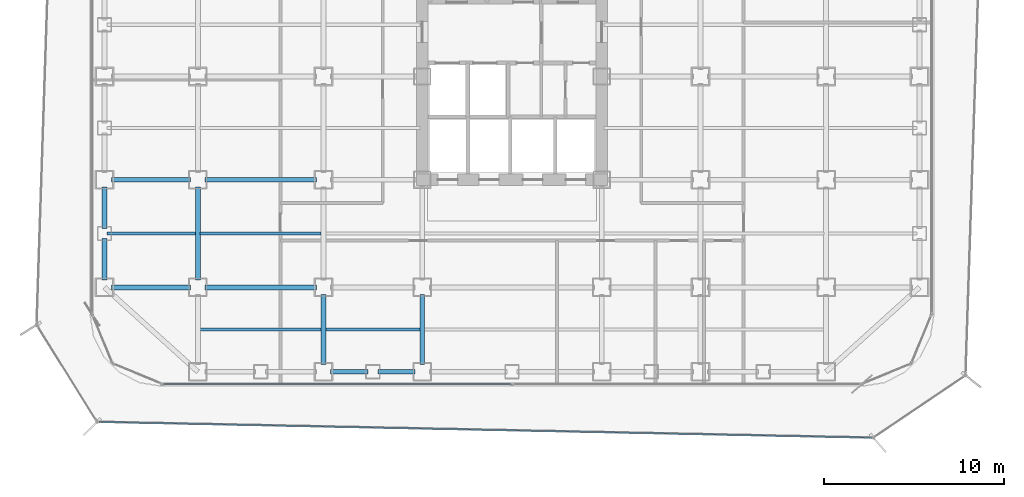
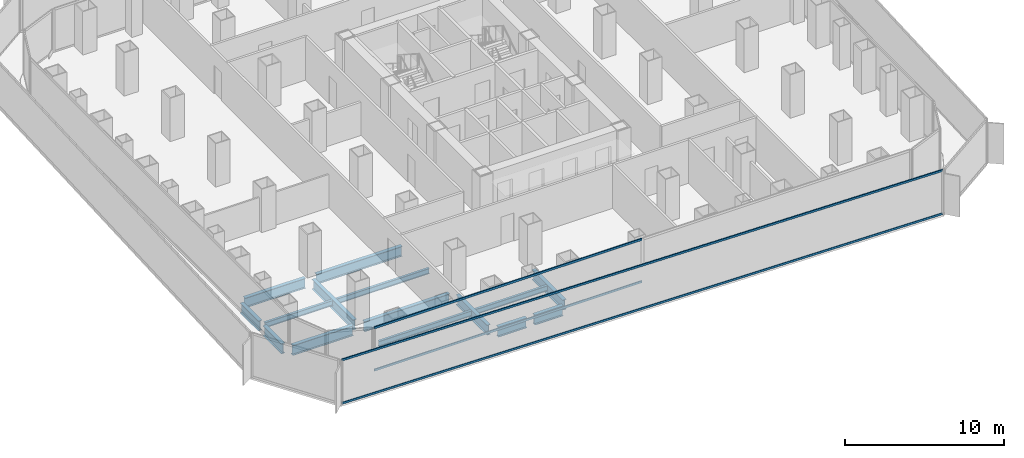
# One storey, part 3 of 21: 15 beams, 4 members, 2 elements without a shape of their own.
"""IFC4 building model written with IfcOpenShell, lengths in metres."""

from ifc_helpers import new_model, si_unit, direction, frame, origin, origin_2d, place, context, subcontext, project, spatial, hollow_rectangle, i_section, extrude, source, transform, mapped, material, layer, layer_set, material_profile, profile_set, type_object, element, aggregate, save


model = new_model("IFC4")

# Units and contexts
model_context = context("Model", 3, precision=1e-05, world=origin(), true_north=direction((0.0, 1.0)))
body_context = subcontext(model_context, "Body", "Model", "MODEL_VIEW")
ifc_project = project(units=[si_unit("LENGTHUNIT", "METRE"), si_unit("AREAUNIT", "SQUARE_METRE"), si_unit("VOLUMEUNIT", "CUBIC_METRE"), si_unit("PLANEANGLEUNIT", "RADIAN"), si_unit("MASSUNIT", "GRAM", prefix="KILO")], contexts=[model_context])

# Site, building, storey
site_placement = place(None, origin())
site = spatial("IfcSite", under=ifc_project, at=site_placement, CompositionType="ELEMENT")
building_placement = place(site_placement, origin())
building = spatial("IfcBuilding", under=site, at=building_placement, Name="Kolveth Station Tower", CompositionType="ELEMENT")
storey_placement = place(building_placement, frame((0.0, 0.0, 47.699951171875)))
storey = spatial("IfcBuildingStorey", under=building, at=storey_placement, Name="L12", CompositionType="ELEMENT", Elevation=47.699951171875)

# Beams
ifc_material_1 = material(Name="Steel S355", Category="steel")
ifc_material_profile_1 = material_profile(ifc_material_1, i_section(OverallWidth=0.26904296875, OverallDepth=0.77490234375, WebThickness=0.01708984375, FlangeThickness=0.0283203125, at=origin_2d()), Name="W760x220")
ifc_profile_set_1 = profile_set([ifc_material_profile_1], Name="Steel S355")
beam_type_1 = type_object("IfcBeamType", Name="Beam_SP1", PredefinedType="SPANDREL", material=ifc_profile_set_1)
shared_shape_1 = source(origin(), body_context, "Body", "SweptSolid", [
    extrude(i_section(OverallWidth=0.26904296875, OverallDepth=0.77490234375, WebThickness=0.01708984375, FlangeThickness=0.0283203125, at=origin_2d()), origin(), (0.0, 0.0, 1.0), 2.070068359375),
])
for number, where, z_axis, x_axis, name in (
    (1, (13.39990234375, 0.800048828125, -0.66748046875), (1.0, 0.0, 0.0), (0.0, 1.0, 0.0), "L12 Perimeter Spandrel BM-L12-PS-3"),
    (2, (16.030029296875, 0.800048828125, -0.66748046875), (1.0, 0.0, 0.0), (0.0, 1.0, 0.0), "L12 Perimeter Spandrel BM-L12-PS-4"),
):
    element("IfcBeam", number, at=place(storey_placement, frame(where, z_axis=z_axis, x_axis=x_axis)), inside=storey, type_object=beam_type_1, Name=name, PredefinedType="SPANDREL", context=body_context, shape_type="MappedRepresentation", body=[
        mapped(shared_shape_1, transform((0.0, 0.0, 0.0), x_axis=(1.0, 0.0, 0.0), y_axis=(0.0, 1.0, 0.0), z_axis=(0.0, 0.0, 1.0), scale=1.0)),
    ])
shared_shape_2 = source(origin(), body_context, "Body", "SweptSolid", [
    extrude(i_section(OverallWidth=0.26904296875, OverallDepth=0.77490234375, WebThickness=0.01708984375, FlangeThickness=0.0283203125, at=origin_2d()), origin(), (0.0, 0.0, 1.0), 2.320068359375),
])
for number, where, z_axis, x_axis, name in (
    (3, (0.800048828125, 5.89990234375, -0.66748046875), (0.0, 1.0, 0.0), (-1.0, 0.0, 0.0), "L12 Perimeter Spandrel BM-L12-PW-1"),
    (4, (0.800048828125, 8.780029296875, -0.66748046875), (0.0, 1.0, 0.0), (-1.0, 0.0, 0.0), "L12 Perimeter Spandrel BM-L12-PW-2"),
):
    element("IfcBeam", number, at=place(storey_placement, frame(where, z_axis=z_axis, x_axis=x_axis)), inside=storey, type_object=beam_type_1, Name=name, PredefinedType="SPANDREL", context=body_context, shape_type="MappedRepresentation", body=[
        mapped(shared_shape_2, transform((0.0, 0.0, 0.0), x_axis=(1.0, 0.0, 0.0), y_axis=(0.0, 1.0, 0.0), z_axis=(0.0, 0.0, 1.0), scale=1.0)),
    ])
ifc_material_profile_2 = material_profile(ifc_material_1, i_section(OverallWidth=0.26708984375, OverallDepth=0.76611328125, WebThickness=0.014892578125, FlangeThickness=0.023681640625, at=origin_2d()), Name="W760x185")
ifc_profile_set_2 = profile_set([ifc_material_profile_2], Name="Steel S355")
beam_type_2 = type_object("IfcBeamType", Name="Beam_B3", PredefinedType="BEAM", material=ifc_profile_set_2)
shared_shape_3 = source(origin(), body_context, "Body", "SweptSolid", [
    extrude(i_section(OverallWidth=0.26708984375, OverallDepth=0.76611328125, WebThickness=0.014892578125, FlangeThickness=0.023681640625, at=origin_2d()), origin(), (0.0, 0.0, 1.0), 4.400146484375),
])
for number, where, z_axis, x_axis, name in (
    (5, (1.199951171875, 5.5, -0.662841796875), (1.0, 0.0, 0.0), (0.0, 1.0, 0.0), "L12 Primary Girder BM-L12-GY55-1"),
    (6, (1.199951171875, 11.5, -0.662841796875), (1.0, 0.0, 0.0), (0.0, 1.0, 0.0), "L12 Primary Girder BM-L12-GY115-1"),
):
    element("IfcBeam", number, at=place(storey_placement, frame(where, z_axis=z_axis, x_axis=x_axis)), inside=storey, type_object=beam_type_2, Name=name, PredefinedType="BEAM", context=body_context, shape_type="MappedRepresentation", body=[
        mapped(shared_shape_3, transform((0.0, 0.0, 0.0), x_axis=(1.0, 0.0, 0.0), y_axis=(0.0, 1.0, 0.0), z_axis=(0.0, 0.0, 1.0), scale=1.0)),
    ])
shared_shape_4 = source(origin(), body_context, "Body", "SweptSolid", [
    extrude(i_section(OverallWidth=0.26708984375, OverallDepth=0.76611328125, WebThickness=0.014892578125, FlangeThickness=0.023681640625, at=origin_2d()), origin(), (0.0, 0.0, 1.0), 6.2001953125),
])
for number, where, z_axis, x_axis, name in (
    (7, (6.39990234375, 5.5, -0.662841796875), (1.0, 0.0, 0.0), (0.0, 1.0, 0.0), "L12 Primary Girder BM-L12-GY55-2"),
    (8, (6.39990234375, 11.5, -0.662841796875), (1.0, 0.0, 0.0), (0.0, 1.0, 0.0), "L12 Primary Girder BM-L12-GY115-2"),
):
    element("IfcBeam", number, at=place(storey_placement, frame(where, z_axis=z_axis, x_axis=x_axis)), inside=storey, type_object=beam_type_2, Name=name, PredefinedType="BEAM", context=body_context, shape_type="MappedRepresentation", body=[
        mapped(shared_shape_4, transform((0.0, 0.0, 0.0), x_axis=(1.0, 0.0, 0.0), y_axis=(0.0, 1.0, 0.0), z_axis=(0.0, 0.0, 1.0), scale=1.0)),
    ])
shared_shape_5 = source(origin(), body_context, "Body", "SweptSolid", [
    extrude(i_section(OverallWidth=0.26708984375, OverallDepth=0.76611328125, WebThickness=0.014892578125, FlangeThickness=0.023681640625, at=origin_2d()), origin(), (0.0, 0.0, 1.0), 3.900146484375),
])
for number, where, z_axis, x_axis, name in (
    (9, (13.0, 1.199951171875, -0.662841796875), (0.0, 1.0, 0.0), (-1.0, 0.0, 0.0), "L12 Primary Girder BM-L12-GX130-1"),
    (10, (18.5, 1.199951171875, -0.662841796875), (0.0, 1.0, 0.0), (-1.0, 0.0, 0.0), "L12 Primary Girder BM-L12-GX185-1"),
):
    element("IfcBeam", number, at=place(storey_placement, frame(where, z_axis=z_axis, x_axis=x_axis)), inside=storey, type_object=beam_type_2, Name=name, PredefinedType="BEAM", context=body_context, shape_type="MappedRepresentation", body=[
        mapped(shared_shape_5, transform((0.0, 0.0, 0.0), x_axis=(1.0, 0.0, 0.0), y_axis=(0.0, 1.0, 0.0), z_axis=(0.0, 0.0, 1.0), scale=1.0)),
    ])
shared_shape_6 = source(origin(), body_context, "Body", "SweptSolid", [
    extrude(i_section(OverallWidth=0.26708984375, OverallDepth=0.76611328125, WebThickness=0.014892578125, FlangeThickness=0.023681640625, at=origin_2d()), origin(), (0.0, 0.0, 1.0), 5.2001953125),
])
beam_1_placement = place(storey_placement, frame((6.0, 5.89990234375, -0.662841796875), z_axis=(0.0, 1.0, 0.0), x_axis=(-1.0, 0.0, 0.0)))
element("IfcBeam", 11, at=beam_1_placement, inside=storey, type_object=beam_type_2, Name="L12 Primary Girder BM-L12-GX60-2", PredefinedType="BEAM", context=body_context, shape_type="MappedRepresentation", body=[
    mapped(shared_shape_6, transform((0.0, 0.0, 0.0), x_axis=(1.0, 0.0, 0.0), y_axis=(0.0, 1.0, 0.0), z_axis=(0.0, 0.0, 1.0), scale=1.0)),
])
ifc_material_profile_3 = material_profile(ifc_material_1, i_section(OverallWidth=0.177978515625, OverallDepth=0.406982421875, WebThickness=0.0078125, FlangeThickness=0.0126953125, at=origin_2d()), Name="W410x60")
ifc_profile_set_3 = profile_set([ifc_material_profile_3], Name="Steel S355")
beam_type_3 = type_object("IfcBeamType", Name="Beam_J1", PredefinedType="JOIST", material=ifc_profile_set_3)
shared_shape_7 = source(origin(), body_context, "Body", "SweptSolid", [
    extrude(i_section(OverallWidth=0.177978515625, OverallDepth=0.406982421875, WebThickness=0.0078125, FlangeThickness=0.0126953125, at=origin_2d()), origin(), (0.0, 0.0, 1.0), 4.935791015625),
])
beam_2_placement = place(storey_placement, frame((0.9326171875, 8.5, -0.4833984375), z_axis=(1.0, 0.0, 0.0), x_axis=(0.0, 1.0, 0.0)))
element("IfcBeam", 12, at=beam_2_placement, inside=storey, type_object=beam_type_3, Name="L12 Secondary Joist JST-L12-1-2", PredefinedType="JOIST", context=body_context, shape_type="MappedRepresentation", body=[
    mapped(shared_shape_7, transform((0.0, 0.0, 0.0), x_axis=(1.0, 0.0, 0.0), y_axis=(0.0, 1.0, 0.0), z_axis=(0.0, 0.0, 1.0), scale=1.0)),
])
shared_shape_8 = source(origin(), body_context, "Body", "SweptSolid", [
    extrude(i_section(OverallWidth=0.177978515625, OverallDepth=0.406982421875, WebThickness=0.0078125, FlangeThickness=0.0126953125, at=origin_2d()), origin(), (0.0, 0.0, 1.0), 6.73681640625),
])
for number, where, z_axis, x_axis, name in (
    (13, (6.131591796875, 3.14990234375, -0.4833984375), (1.0, 0.0, 0.0), (0.0, 1.0, 0.0), "L12 Secondary Joist JST-L12-2-1"),
    (14, (6.131591796875, 8.5, -0.4833984375), (1.0, 0.0, 0.0), (0.0, 1.0, 0.0), "L12 Secondary Joist JST-L12-2-2"),
):
    element("IfcBeam", number, at=place(storey_placement, frame(where, z_axis=z_axis, x_axis=x_axis)), inside=storey, type_object=beam_type_3, Name=name, PredefinedType="JOIST", context=body_context, shape_type="MappedRepresentation", body=[
        mapped(shared_shape_8, transform((0.0, 0.0, 0.0), x_axis=(1.0, 0.0, 0.0), y_axis=(0.0, 1.0, 0.0), z_axis=(0.0, 0.0, 1.0), scale=1.0)),
    ])
shared_shape_9 = source(origin(), body_context, "Body", "SweptSolid", [
    extrude(i_section(OverallWidth=0.177978515625, OverallDepth=0.406982421875, WebThickness=0.0078125, FlangeThickness=0.0126953125, at=origin_2d()), origin(), (0.0, 0.0, 1.0), 5.23681640625),
])
beam_3_placement = place(storey_placement, frame((13.131591796875, 3.14990234375, -0.4833984375), z_axis=(1.0, 0.0, 0.0), x_axis=(0.0, 1.0, 0.0)))
element("IfcBeam", 15, at=beam_3_placement, inside=storey, type_object=beam_type_3, Name="L12 Secondary Joist JST-L12-3-1", PredefinedType="JOIST", context=body_context, shape_type="MappedRepresentation", body=[
    mapped(shared_shape_9, transform((0.0, 0.0, 0.0), x_axis=(1.0, 0.0, 0.0), y_axis=(0.0, 1.0, 0.0), z_axis=(0.0, 0.0, 1.0), scale=1.0)),
])

# Curtain wall, members
ifc_material_2 = material(Name="Aluminium 6063-T6 and low-E dark glass", Category="aluminium")
ifc_layer_1 = layer(ifc_material_2, 0.179931640625)
ifc_layer_set_1 = layer_set([ifc_layer_1], Name="Aluminium 6063-T6 and low-E dark glass")
curtain_wall_type_1 = type_object("IfcCurtainWallType", Name="CurtainWall_CW-Z1", PredefinedType="NOTDEFINED", material=ifc_layer_set_1)
curtain_wall_1_placement = place(storey_placement, origin())
curtain_wall_1 = element("IfcCurtainWall", 16, at=curtain_wall_1_placement, inside=storey, type_object=curtain_wall_type_1, Name="L12 Inner Thermal Curtain Wall 12", PredefinedType="NOTDEFINED")
ifc_material_3 = material(Name="Black anodized aluminium 6063-T6", Category="aluminium")
ifc_material_profile_4 = material_profile(ifc_material_3, hollow_rectangle(XDim=0.074951171875, YDim=0.159912109375, WallThickness=0.0048828125, at=origin_2d()), Name="ALU-75x160x5")
ifc_profile_set_4 = profile_set([ifc_material_profile_4], Name="Black anodized aluminium 6063-T6")
member_type_1 = type_object("IfcMemberType", Name="Transom_TR1", PredefinedType="USERDEFINED", material=ifc_profile_set_4)
shared_shape_10 = source(origin(), body_context, "Body", "SweptSolid", [
    extrude(hollow_rectangle(XDim=0.074951171875, YDim=0.159912109375, WallThickness=0.0048828125, at=origin_2d()), origin(), (0.0, 0.0, 1.0), 19.387451171875),
])
member_1_placement = place(storey_placement, frame((4.074951171875, 0.1201171875, 0.03759765625), z_axis=(1.0, 0.0, 0.0), x_axis=(0.0, 1.0, 0.0)))
member_1 = element("IfcMember", 17, at=member_1_placement, type_object=member_type_1, Name="CW-Z1 transom 1.1", ObjectType="TRANSOM", PredefinedType="USERDEFINED", context=body_context, shape_type="MappedRepresentation", body=[
    mapped(shared_shape_10, transform((0.0, 0.0, 0.0), x_axis=(1.0, 0.0, 0.0), y_axis=(0.0, 1.0, 0.0), z_axis=(0.0, 0.0, 1.0), scale=1.0)),
])
member_2_placement = place(storey_placement, frame((4.074951171875, 0.1201171875, 3.282470703125), z_axis=(1.0, 0.0, 0.0), x_axis=(0.0, 1.0, 0.0)))
member_2 = element("IfcMember", 18, at=member_2_placement, type_object=member_type_1, Name="CW-Z1 transom 1.2", ObjectType="TRANSOM", PredefinedType="USERDEFINED", context=body_context, shape_type="MappedRepresentation", body=[
    mapped(shared_shape_10, transform((0.0, 0.0, 0.0), x_axis=(1.0, 0.0, 0.0), y_axis=(0.0, 1.0, 0.0), z_axis=(0.0, 0.0, 1.0), scale=1.0)),
])
aggregate(curtain_wall_1, [member_1, member_2])

ifc_material_4 = material(Name="Black anodized aluminium 6063-T6 and dark solar glass", Category="aluminium")
ifc_layer_2 = layer(ifc_material_4, 0.159912109375)
ifc_layer_set_2 = layer_set([ifc_layer_2], Name="Black anodized aluminium 6063-T6 and dark solar glass")
curtain_wall_type_2 = type_object("IfcCurtainWallType", Name="OUTER SKIN CW-OS", PredefinedType="NOTDEFINED", material=ifc_layer_set_2)
curtain_wall_2_placement = place(storey_placement, origin())
curtain_wall_2 = element("IfcCurtainWall", 19, at=curtain_wall_2_placement, inside=storey, type_object=curtain_wall_type_2, Name="L12 Outer Ventilated Skin Curtain Wall 8", PredefinedType="NOTDEFINED")
ifc_material_profile_5 = material_profile(ifc_material_3, hollow_rectangle(XDim=0.080078125, YDim=0.14990234375, WallThickness=0.0048828125, at=origin_2d()), Name="ALU-80x150x5")
ifc_profile_set_5 = profile_set([ifc_material_profile_5], Name="Black anodized aluminium 6063-T6")
member_type_2 = type_object("IfcMemberType", Name="Transom_TR-OS", PredefinedType="USERDEFINED", material=ifc_profile_set_5)
shared_shape_11 = source(origin(), body_context, "Body", "SweptSolid", [
    extrude(hollow_rectangle(XDim=0.080078125, YDim=0.14990234375, WallThickness=0.0048828125, at=origin_2d()), origin(), (0.0, 0.0, 1.0), 43.063720703125),
])
member_3_placement = place(storey_placement, frame((0.48486328125, -1.99658203125, 0.0400390625), z_axis=(0.999791936459, -0.020398132073, 0.0), x_axis=(0.020398132073, 0.999791936459, 0.0)))
member_3 = element("IfcMember", 20, at=member_3_placement, type_object=member_type_2, Name="CW-OS transom 1.1", ObjectType="TRANSOM", PredefinedType="USERDEFINED", context=body_context, shape_type="MappedRepresentation", body=[
    mapped(shared_shape_11, transform((0.0, 0.0, 0.0), x_axis=(1.0, 0.0, 0.0), y_axis=(0.0, 1.0, 0.0), z_axis=(0.0, 0.0, 1.0), scale=1.0)),
])
member_4_placement = place(storey_placement, frame((0.48486328125, -1.99658203125, 3.35009765625), z_axis=(0.999791936459, -0.020398132073, 0.0), x_axis=(0.020398132073, 0.999791936459, 0.0)))
member_4 = element("IfcMember", 21, at=member_4_placement, type_object=member_type_2, Name="CW-OS transom 1.2", ObjectType="TRANSOM", PredefinedType="USERDEFINED", context=body_context, shape_type="MappedRepresentation", body=[
    mapped(shared_shape_11, transform((0.0, 0.0, 0.0), x_axis=(1.0, 0.0, 0.0), y_axis=(0.0, 1.0, 0.0), z_axis=(0.0, 0.0, 1.0), scale=1.0)),
])
aggregate(curtain_wall_2, [member_3, member_4])

save(model, "model.ifc")
